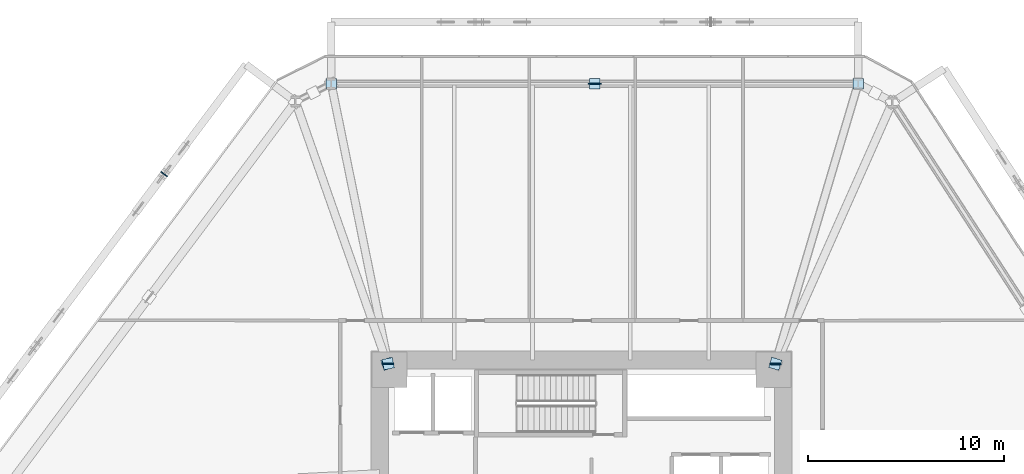
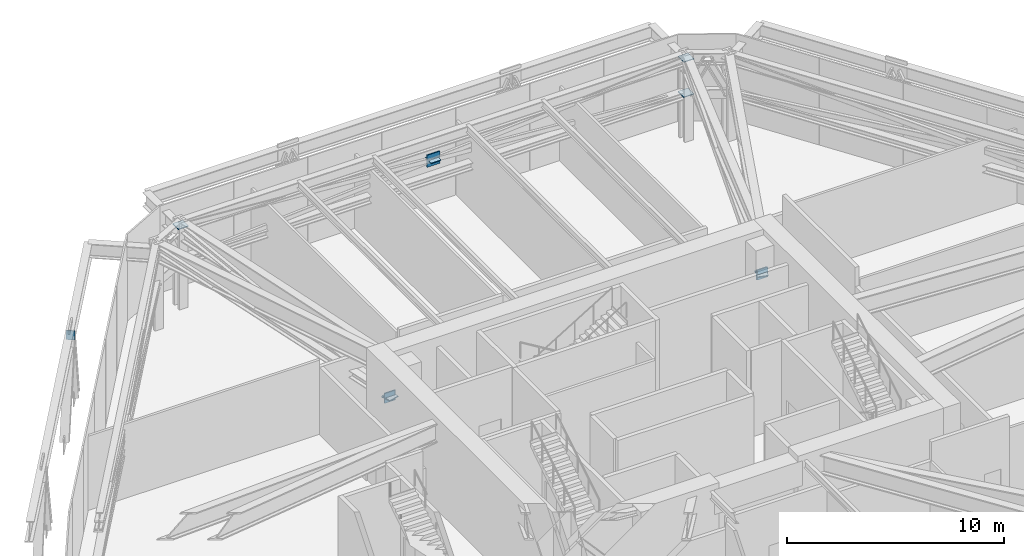
# One storey, part 11 of 16: 13 plates.
"""IFC4 building model written with IfcOpenShell, lengths in metres."""

from ifc_helpers import new_model, si_unit, direction, frame, origin, origin_2d, place, context, subcontext, project, spatial, rectangle, extrude, source, transform, mapped, material, layer, layer_set, type_object, type_shapes, element, save


model = new_model("IFC4")

# Units and contexts
model_context = context("Model", 3, precision=1e-05, world=origin(), true_north=direction((0.0, 1.0)))
body_context = subcontext(model_context, "Body", "Model", "MODEL_VIEW")
ifc_project = project(units=[si_unit("LENGTHUNIT", "METRE"), si_unit("AREAUNIT", "SQUARE_METRE"), si_unit("VOLUMEUNIT", "CUBIC_METRE"), si_unit("PLANEANGLEUNIT", "RADIAN"), si_unit("MASSUNIT", "GRAM", prefix="KILO")], contexts=[model_context])

# Site, building, storey
site_placement = place(None, origin())
site = spatial("IfcSite", under=ifc_project, at=site_placement, CompositionType="ELEMENT")
building_placement = place(site_placement, origin())
building = spatial("IfcBuilding", under=site, at=building_placement, Name="Durnholm Broadcast Tower", CompositionType="ELEMENT")
storey_placement = place(building_placement, frame((0.0, 0.0, 10.39990234375)))
storey = spatial("IfcBuildingStorey", under=building, at=storey_placement, Name="L02", CompositionType="ELEMENT", Elevation=10.39990234375)

# Plates
ifc_material_1 = material(Name="Steel ASTM A572 Grade 50", Category="steel")
ifc_layer_1 = layer(ifc_material_1, 0.0400390625)
ifc_layer_set_1 = layer_set([ifc_layer_1], Name="Steel ASTM A572 Grade 50")
plate_type_1 = type_object("IfcPlateType", Name="PLT-KN-CAP", PredefinedType="USERDEFINED", material=ifc_layer_set_1)
shared_shape_1 = source(origin(), body_context, "Body", "SweptSolid", [
    extrude(rectangle(XDim=0.5400390625, YDim=0.5400390625, at=origin_2d()), origin(), (0.0, 0.0, 1.0), 0.0400390625),
])
type_shapes(plate_type_1, [shared_shape_1])
for number, where, z_axis, x_axis, name in (
    (1, (14.119384765625, 22.39990234375, 2.530029296875), (0.0, 0.0, 1.0), (1.0, 0.0, 0.0), "L02 hollow section end cap plate BT-CH-L02-05 2"),
    (2, (14.119384765625, 22.39990234375, 4.510009765625), (0.0, 0.0, 1.0), (1.0, 0.0, 0.0), "L02 hollow section end cap plate BT-XCONT-L02-05 2"),
    (3, (0.673583984375, 22.39990234375, 3.52001953125), (0.0, 0.0, 1.0), (-1.0, 0.0, 0.0), "L02 hollow section end cap plate BT-XSPLIT-L02-05-1 2"),
    (4, (-12.77197265625, 22.39990234375, 4.510009765625), (0.0, 0.0, 1.0), (-1.0, 0.0, 0.0), "L02 hollow section end cap plate BT-XSPLIT-L02-05-2 2"),
    (5, (-9.90576171875, 8.10205078125, 2.530029296875), (0.0, 0.0, 1.0), (-0.330514392713, 0.943800951583, 0.0), "L02 hollow section end cap plate OUT-STR-L02-04 1"),
    (6, (-9.86376953125, 8.113525390625, 2.530029296875), (0.0, 0.0, 1.0), (-0.199538960505, 0.979889893427, 0.0), "L02 hollow section end cap plate OUT-STR-L02-05 1"),
    (7, (9.890869140625, 8.10693359375, 2.530029296875), (0.0, 0.0, 1.0), (0.283680636181, 0.958918816509, 0.0), "L02 hollow section end cap plate OUT-STR-L02-06 1"),
):
    element("IfcPlate", number, at=place(storey_placement, frame(where, z_axis=z_axis, x_axis=x_axis)), inside=storey, type_object=plate_type_1, Name=name, ObjectType="CAP_PLATE", PredefinedType="USERDEFINED", context=body_context, shape_type="MappedRepresentation", body=[
        mapped(shared_shape_1, transform((0.0, 0.0, 0.0), x_axis=(1.0, 0.0, 0.0), y_axis=(0.0, 1.0, 0.0), z_axis=(0.0, 0.0, 1.0), scale=1.0)),
    ])
ifc_material_2 = material(Name="ASTM A572 Grade 50 Steel", Category="steel")
ifc_layer_2 = layer(ifc_material_2, 0.06005859375)
ifc_layer_set_2 = layer_set([ifc_layer_2], Name="ASTM A572 Grade 50 Steel")
plate_type_2 = type_object("IfcPlateType", Name="PLT-KN-X1", PredefinedType="USERDEFINED", material=ifc_layer_set_2)
shared_shape_2 = source(origin(), body_context, "Body", "SweptSolid", [
    extrude(rectangle(XDim=0.679931640625, YDim=0.06005859375, at=origin_2d()), origin(), (0.0, 0.0, 1.0), 0.679931640625),
])
type_shapes(plate_type_2, [shared_shape_2])
plate_1_placement = place(storey_placement, frame((0.673583984375, 22.39990234375, 3.2001953125), z_axis=(0.0, 0.0, 1.0), x_axis=(1.0, 0.0, 0.0)))
element("IfcPlate", 8, at=plate_1_placement, inside=storey, type_object=plate_type_2, Name="L02 belt-truss X-brace crossing gusset plate 05", ObjectType="GUSSET_PLATE", PredefinedType="USERDEFINED", context=body_context, shape_type="MappedRepresentation", body=[
    mapped(shared_shape_2, transform((0.0, 0.0, 0.0), x_axis=(1.0, 0.0, 0.0), y_axis=(0.0, 1.0, 0.0), z_axis=(0.0, 0.0, 1.0), scale=1.0)),
])
ifc_layer_3 = layer(ifc_material_1, 0.044921875)
ifc_layer_set_3 = layer_set([ifc_layer_3], Name="Steel ASTM A572 Grade 50")
plate_type_3 = type_object("IfcPlateType", Name="PLT-KN-STIF", PredefinedType="SHEET", material=ifc_layer_set_3)
shared_shape_3 = source(origin(), body_context, "Body", "SweptSolid", [
    extrude(rectangle(XDim=0.550048828125, YDim=0.06005859375, at=origin_2d()), origin(), (0.0, 0.0, 1.0), 0.550048828125),
])
for number, where, z_axis, x_axis, name in (
    (9, (-9.90576171875, 8.10205078125, 2.27490234375), (0.0, 0.0, 1.0), (1.0, 0.0, 0.0), "L02 core wall cast-in outrigger embedment plate 04"),
    (10, (-9.86376953125, 8.113525390625, 2.27490234375), (0.0, 0.0, 1.0), (1.0, 0.0, 0.0), "L02 core wall cast-in outrigger embedment plate 05"),
    (11, (9.890869140625, 8.10693359375, 2.27490234375), (0.0, 0.0, 1.0), (1.0, 0.0, 0.0), "L02 core wall cast-in outrigger embedment plate 06"),
    (12, (9.929931640625, 8.09228515625, 2.27490234375), (0.0, 0.0, 1.0), (1.0, 0.0, 0.0), "L02 core wall cast-in outrigger embedment plate 07"),
):
    element("IfcPlate", number, at=place(storey_placement, frame(where, z_axis=z_axis, x_axis=x_axis)), inside=storey, type_object=plate_type_3, Name=name, ObjectType="GUSSET_PLATE", PredefinedType="USERDEFINED", context=body_context, shape_type="MappedRepresentation", body=[
        mapped(shared_shape_3, transform((0.0, 0.0, 0.0), x_axis=(1.0, 0.0, 0.0), y_axis=(0.0, 1.0, 0.0), z_axis=(0.0, 0.0, 1.0), scale=1.0)),
    ])
shared_shape_4 = source(origin(), body_context, "Body", "SweptSolid", [
    extrude(rectangle(XDim=0.044921875, YDim=0.419921875, at=origin_2d()), origin(), (0.0, 0.0, 1.0), 0.52001953125),
])
type_shapes(plate_type_3, [shared_shape_3, shared_shape_4])
plate_2_placement = place(storey_placement, frame((-21.298095703125, 17.787109375, 3.86865234375), z_axis=(0.0, 0.0, 1.0), x_axis=(-0.59916334338, -0.800626809413, 0.0)))
element("IfcPlate", 13, at=plate_2_placement, inside=storey, type_object=plate_type_3, Name="L02 welded diagrid node stiffener plate F5", PredefinedType="SHEET", context=body_context, shape_type="MappedRepresentation", body=[
    mapped(shared_shape_4, transform((0.0, 0.0, 0.0), x_axis=(1.0, 0.0, 0.0), y_axis=(0.0, 1.0, 0.0), z_axis=(0.0, 0.0, 1.0), scale=1.0)),
])

save(model, "model.ifc")
